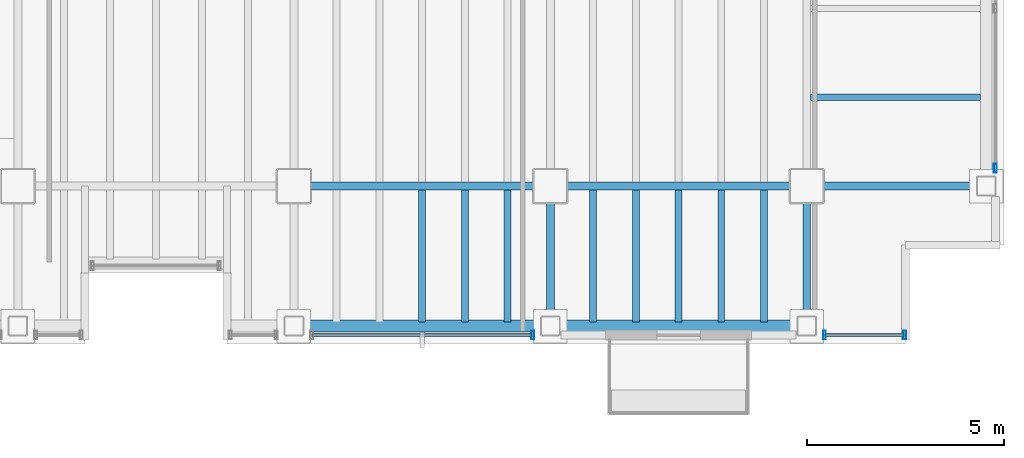
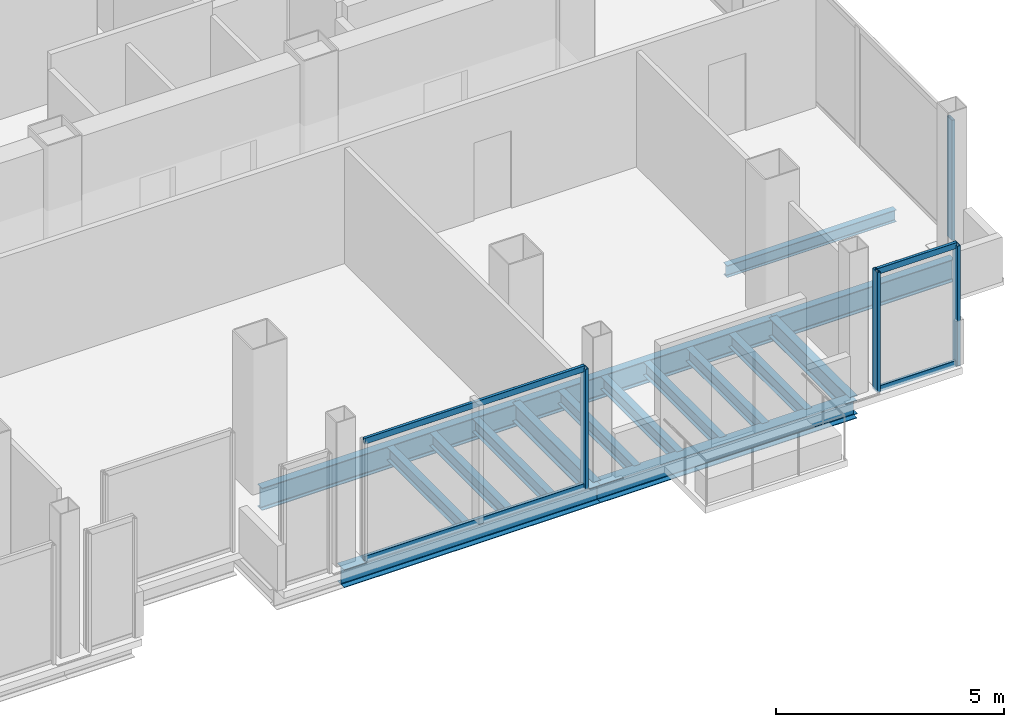
# One storey, part 11 of 19: 16 beams, 8 members, 3 elements without a shape of their own.
"""IFC4 building model written with IfcOpenShell, lengths in metres."""

from ifc_helpers import new_model, si_unit, direction, frame, origin, origin_2d, place, context, subcontext, project, spatial, hollow_rectangle, i_section, extrude, material, material_profile, profile_set, type_object, element, aggregate, save


model = new_model("IFC4")

# Units and contexts
model_context = context("Model", 3, precision=1e-05, world=origin(), true_north=direction((0.0, 1.0)))
body_context = subcontext(model_context, "Body", "Model", "MODEL_VIEW")
ifc_project = project(units=[si_unit("LENGTHUNIT", "METRE"), si_unit("AREAUNIT", "SQUARE_METRE"), si_unit("VOLUMEUNIT", "CUBIC_METRE"), si_unit("PLANEANGLEUNIT", "RADIAN"), si_unit("MASSUNIT", "GRAM", prefix="KILO")], contexts=[model_context])

# Site, building, storey
site_placement = place(None, origin())
site = spatial("IfcSite", under=ifc_project, at=site_placement, CompositionType="ELEMENT")
building_placement = place(site_placement, origin())
building = spatial("IfcBuilding", under=site, at=building_placement, Name="Noeulbin Bourse Tower", CompositionType="ELEMENT")
storey_placement = place(building_placement, frame((0.0, 0.0, 150.0)))
storey = spatial("IfcBuildingStorey", under=building, at=storey_placement, Name="L37", CompositionType="ELEMENT", Elevation=150.0)

# Beams
ifc_material_1 = material(Name="Steel S355", Category="steel")
ifc_material_profile_1 = material_profile(ifc_material_1, i_section(OverallWidth=0.199951171875, OverallDepth=0.5, WebThickness=0.010009765625, FlangeThickness=0.01611328125, FilletRadius=0.02001953125, at=origin_2d()), Name="H-500x200x10x16", Category="LoadBearing")
ifc_profile_set_1 = profile_set([ifc_material_profile_1], Name="Steel S355")
beam_type_1 = type_object("IfcBeamType", Name="BM-GRD-500", PredefinedType="USERDEFINED", material=ifc_profile_set_1)
for number, where, z_axis, x_axis, name in (
    (1, (37.5, 16.449951171875, -0.429931640625), (0.0, 1.0, 0.0), (-1.0, 0.0, 0.0), "Tower Primary Girder NS L37-4.1"),
    (2, (44.0, 16.449951171875, -0.429931640625), (0.0, 1.0, 0.0), (-1.0, 0.0, 0.0), "Tower Primary Girder NS L37-5.1"),
):
    element("IfcBeam", number, at=place(storey_placement, frame(where, z_axis=z_axis, x_axis=x_axis)), inside=storey, type_object=beam_type_1, Name=name, ObjectType="GIRDER", PredefinedType="USERDEFINED", context=body_context, shape_type="SweptSolid", body=[
        extrude(i_section(OverallWidth=0.199951171875, OverallDepth=0.5, WebThickness=0.010009765625, FlangeThickness=0.01611328125, FilletRadius=0.02001953125, at=origin_2d()), origin(), (0.0, 0.0, 1.0), 3.550048828125),
    ])
ifc_material_profile_2 = material_profile(ifc_material_1, i_section(OverallWidth=0.199951171875, OverallDepth=0.60009765625, WebThickness=0.010986328125, FlangeThickness=0.01708984375, FilletRadius=0.02197265625, at=origin_2d()), Name="H-600x200x11x17", Category="LoadBearing")
ifc_profile_set_2 = profile_set([ifc_material_profile_2], Name="Steel S355")
beam_type_2 = type_object("IfcBeamType", Name="BM-GRD-600", PredefinedType="USERDEFINED", material=ifc_profile_set_2)
for number, where, z_axis, x_axis, name in (
    (3, (31.0, 20.0, -0.47998046875), (1.0, 0.0, 0.0), (0.0, 1.0, 0.0), "Tower Primary Girder EW L37-1.4"),
    (4, (37.5, 20.0, -0.47998046875), (1.0, 0.0, 0.0), (0.0, 1.0, 0.0), "Tower Primary Girder EW L37-1.5"),
):
    element("IfcBeam", number, at=place(storey_placement, frame(where, z_axis=z_axis, x_axis=x_axis)), inside=storey, type_object=beam_type_2, Name=name, ObjectType="GIRDER", PredefinedType="USERDEFINED", context=body_context, shape_type="SweptSolid", body=[
        extrude(i_section(OverallWidth=0.199951171875, OverallDepth=0.60009765625, WebThickness=0.010986328125, FlangeThickness=0.01708984375, FilletRadius=0.02197265625, at=origin_2d()), origin(), (0.0, 0.0, 1.0), 6.5),
    ])
beam_1_placement = place(storey_placement, frame((44.0, 20.0, -0.47998046875), z_axis=(1.0, 0.0, 0.0), x_axis=(0.0, 1.0, 0.0)))
element("IfcBeam", 5, at=beam_1_placement, inside=storey, type_object=beam_type_2, Name="Tower Primary Girder EW L37-1.6", ObjectType="GIRDER", PredefinedType="USERDEFINED", context=body_context, shape_type="SweptSolid", body=[
    extrude(i_section(OverallWidth=0.199951171875, OverallDepth=0.60009765625, WebThickness=0.010986328125, FlangeThickness=0.01708984375, FilletRadius=0.02197265625, at=origin_2d()), origin(), (0.0, 0.0, 1.0), 4.550048828125),
])
ifc_material_profile_3 = material_profile(ifc_material_1, i_section(OverallWidth=0.159912109375, OverallDepth=0.320068359375, WebThickness=0.006591796875, FlangeThickness=0.010009765625, FilletRadius=0.012939453125, at=origin_2d()), Name="H-320x160x6.5x10", Category="LoadBearing")
ifc_profile_set_3 = profile_set([ifc_material_profile_3], Name="Steel S355")
beam_type_3 = type_object("IfcBeamType", Name="BM-JST-320", PredefinedType="JOIST", material=ifc_profile_set_3)
beam_2_placement = place(storey_placement, frame((44.10009765625, 22.25, -0.340087890625), z_axis=(1.0, 0.0, 0.0), x_axis=(0.0, 1.0, 0.0)))
element("IfcBeam", 6, at=beam_2_placement, inside=storey, type_object=beam_type_3, Name="Wing Composite Joist L37-E73", PredefinedType="JOIST", context=body_context, shape_type="SweptSolid", body=[
    extrude(i_section(OverallWidth=0.159912109375, OverallDepth=0.320068359375, WebThickness=0.006591796875, FlangeThickness=0.010009765625, FilletRadius=0.012939453125, at=origin_2d()), origin(), (0.0, 0.0, 1.0), 4.2998046875),
])
ifc_material_profile_4 = material_profile(ifc_material_1, i_section(OverallWidth=0.175048828125, OverallDepth=0.35009765625, WebThickness=0.007080078125, FlangeThickness=0.010986328125, FilletRadius=0.013916015625, at=origin_2d()), Name="H-350x175x7x11", Category="LoadBearing")
ifc_profile_set_4 = profile_set([ifc_material_profile_4], Name="Steel S355")
beam_type_4 = type_object("IfcBeamType", Name="BM-JST-350", PredefinedType="JOIST", material=ifc_profile_set_4)
for number, where, z_axis, x_axis, name in (
    (7, (34.25, 16.550048828125, -0.35498046875), (0.0, 1.0, 0.0), (-1.0, 0.0, 0.0), "Tower Composite Joist L37-46"),
    (8, (35.333251953125, 16.550048828125, -0.35498046875), (0.0, 1.0, 0.0), (-1.0, 0.0, 0.0), "Tower Composite Joist L37-49"),
    (9, (36.416748046875, 16.550048828125, -0.35498046875), (0.0, 1.0, 0.0), (-1.0, 0.0, 0.0), "Tower Composite Joist L37-52"),
    (10, (38.583251953125, 16.550048828125, -0.35498046875), (0.0, 1.0, 0.0), (-1.0, 0.0, 0.0), "Tower Composite Joist L37-55"),
    (11, (39.666748046875, 16.550048828125, -0.35498046875), (0.0, 1.0, 0.0), (-1.0, 0.0, 0.0), "Tower Composite Joist L37-58"),
    (12, (40.75, 16.550048828125, -0.35498046875), (0.0, 1.0, 0.0), (-1.0, 0.0, 0.0), "Tower Composite Joist L37-61"),
    (13, (41.833251953125, 16.550048828125, -0.35498046875), (0.0, 1.0, 0.0), (-1.0, 0.0, 0.0), "Tower Composite Joist L37-64"),
    (14, (42.916748046875, 16.550048828125, -0.35498046875), (0.0, 1.0, 0.0), (-1.0, 0.0, 0.0), "Tower Composite Joist L37-67"),
):
    element("IfcBeam", number, at=place(storey_placement, frame(where, z_axis=z_axis, x_axis=x_axis)), inside=storey, type_object=beam_type_4, Name=name, PredefinedType="JOIST", context=body_context, shape_type="SweptSolid", body=[
        extrude(i_section(OverallWidth=0.175048828125, OverallDepth=0.35009765625, WebThickness=0.007080078125, FlangeThickness=0.010986328125, FilletRadius=0.013916015625, at=origin_2d()), origin(), (0.0, 0.0, 1.0), 3.349853515625),
    ])
ifc_material_profile_5 = material_profile(ifc_material_1, i_section(OverallWidth=0.300048828125, OverallDepth=0.488037109375, WebThickness=0.010986328125, FlangeThickness=0.01806640625, FilletRadius=0.02197265625, at=origin_2d()), Name="H-488x300x11x18", Category="LoadBearing")
ifc_profile_set_5 = profile_set([ifc_material_profile_5], Name="Steel S355")
beam_type_5 = type_object("IfcBeamType", Name="BM-SPN-488", PredefinedType="SPANDREL", material=ifc_profile_set_5)
for number, where, z_axis, x_axis, name in (
    (15, (31.0, 16.449951171875, -0.424072265625), (1.0, 0.0, 0.0), (0.0, 1.0, 0.0), "South Spandrel L37-3"),
    (16, (37.5, 16.449951171875, -0.424072265625), (1.0, 0.0, 0.0), (0.0, 1.0, 0.0), "South Spandrel L37-4"),
):
    element("IfcBeam", number, at=place(storey_placement, frame(where, z_axis=z_axis, x_axis=x_axis)), inside=storey, type_object=beam_type_5, Name=name, PredefinedType="SPANDREL", context=body_context, shape_type="SweptSolid", body=[
        extrude(i_section(OverallWidth=0.300048828125, OverallDepth=0.488037109375, WebThickness=0.010986328125, FlangeThickness=0.01806640625, FilletRadius=0.02197265625, at=origin_2d()), origin(), (0.0, 0.0, 1.0), 6.5),
    ])

# Curtain wall, member
ifc_material_2 = material(Name="Dark Tinted Triple Glazing", Category="glass")
curtain_wall_type = type_object("IfcCurtainWallType", Name="CW-SYS-3", PredefinedType="NOTDEFINED", material=ifc_material_2)
curtain_wall_1_placement = place(storey_placement, origin())
curtain_wall_1 = element("IfcCurtainWall", 17, at=curtain_wall_1_placement, inside=storey, type_object=curtain_wall_type, Name="Unitised Curtain Wall CW-L37-S2-S2", PredefinedType="NOTDEFINED")
ifc_material_3 = material(Name="Anodised Aluminium 6063-T6", Category="aluminium")
ifc_material_profile_6 = material_profile(ifc_material_3, hollow_rectangle(XDim=0.074951171875, YDim=0.219970703125, WallThickness=0.0048828125, InnerFilletRadius=0.00244140625, OuterFilletRadius=0.0048828125, at=origin_2d()), Name="ALU-MULL-75x220x5", Category="LoadBearing")
ifc_profile_set_6 = profile_set([ifc_material_profile_6], Name="Anodised Aluminium 6063-T6")
member_type_1 = type_object("IfcMemberType", Name="CW-SYS-3-MUL", PredefinedType="MULLION", material=ifc_profile_set_6)
member_1_placement = place(storey_placement, frame((37.050048828125, 16.219970703125, -0.02001953125), z_axis=(0.0, 0.0, 1.0), x_axis=(1.0, 0.0, 0.0)))
member_1 = element("IfcMember", 18, at=member_1_placement, type_object=member_type_1, Name="Curtain Wall Mullion CW-L37-S2-S2-M01", PredefinedType="MULLION", context=body_context, shape_type="SweptSolid", body=[
    extrude(hollow_rectangle(XDim=0.074951171875, YDim=0.219970703125, WallThickness=0.0048828125, InnerFilletRadius=0.00244140625, OuterFilletRadius=0.0048828125, at=origin_2d()), origin(), (0.0, 0.0, 1.0), 3.219970703125),
])

# Curtain wall, members
curtain_wall_2_placement = place(storey_placement, origin())
curtain_wall_2 = element("IfcCurtainWall", 19, at=curtain_wall_2_placement, inside=storey, type_object=curtain_wall_type, Name="Unitised Curtain Wall CW-L37-S3", PredefinedType="NOTDEFINED")
member_2_placement = place(storey_placement, frame((44.449951171875, 16.219970703125, -0.02001953125), z_axis=(0.0, 0.0, 1.0), x_axis=(1.0, 0.0, 0.0)))
member_2 = element("IfcMember", 20, at=member_2_placement, type_object=member_type_1, Name="Curtain Wall Mullion CW-L37-S3-M00", PredefinedType="MULLION", context=body_context, shape_type="SweptSolid", body=[
    extrude(hollow_rectangle(XDim=0.074951171875, YDim=0.219970703125, WallThickness=0.0048828125, InnerFilletRadius=0.00244140625, OuterFilletRadius=0.0048828125, at=origin_2d()), origin(), (0.0, 0.0, 1.0), 3.219970703125),
])
member_3_placement = place(storey_placement, frame((46.47998046875, 16.219970703125, -0.02001953125), z_axis=(0.0, 0.0, 1.0), x_axis=(1.0, 0.0, 0.0)))
member_3 = element("IfcMember", 21, at=member_3_placement, type_object=member_type_1, Name="Curtain Wall Mullion CW-L37-S3-M01", PredefinedType="MULLION", context=body_context, shape_type="SweptSolid", body=[
    extrude(hollow_rectangle(XDim=0.074951171875, YDim=0.219970703125, WallThickness=0.0048828125, InnerFilletRadius=0.00244140625, OuterFilletRadius=0.0048828125, at=origin_2d()), origin(), (0.0, 0.0, 1.0), 3.219970703125),
])

# Curtain wall, member
curtain_wall_3_placement = place(storey_placement, origin())
curtain_wall_3 = element("IfcCurtainWall", 22, at=curtain_wall_3_placement, inside=storey, type_object=curtain_wall_type, Name="Unitised Curtain Wall CW-L37-E-S1", PredefinedType="NOTDEFINED")
member_4_placement = place(storey_placement, frame((48.780029296875, 20.449951171875, -0.02001953125), z_axis=(0.0, 0.0, 1.0), x_axis=(1.0, 0.0, 0.0)))
member_4 = element("IfcMember", 23, at=member_4_placement, type_object=member_type_1, Name="Curtain Wall Mullion CW-L37-E-S1-M00", PredefinedType="MULLION", context=body_context, shape_type="SweptSolid", body=[
    extrude(hollow_rectangle(XDim=0.074951171875, YDim=0.219970703125, WallThickness=0.0048828125, InnerFilletRadius=0.00244140625, OuterFilletRadius=0.0048828125, at=origin_2d()), origin(), (0.0, 0.0, 1.0), 3.219970703125),
])
aggregate(curtain_wall_3, [member_4])

# Member
ifc_material_profile_7 = material_profile(ifc_material_3, hollow_rectangle(XDim=0.074951171875, YDim=0.159912109375, WallThickness=0.0048828125, InnerFilletRadius=0.00244140625, OuterFilletRadius=0.0048828125, at=origin_2d()), Name="ALU-TRAN-75x160x5", Category="LoadBearing")
ifc_profile_set_7 = profile_set([ifc_material_profile_7], Name="Anodised Aluminium 6063-T6")
member_type_2 = type_object("IfcMemberType", Name="CW-SYS-3-TRN", PredefinedType="USERDEFINED", material=ifc_profile_set_7)
member_5_placement = place(storey_placement, frame((31.4599609375, 16.219970703125, 0.010009765625), z_axis=(1.0, 0.0, 0.0), x_axis=(0.0, 1.0, 0.0)))
member_5 = element("IfcMember", 24, at=member_5_placement, type_object=member_type_2, Name="Curtain Wall Transom CW-L37-S2-S2-T00", ObjectType="TRANSOM", PredefinedType="USERDEFINED", context=body_context, shape_type="SweptSolid", body=[
    extrude(hollow_rectangle(XDim=0.074951171875, YDim=0.159912109375, WallThickness=0.0048828125, InnerFilletRadius=0.00244140625, OuterFilletRadius=0.0048828125, at=origin_2d()), origin(), (0.0, 0.0, 1.0), 5.580078125),
])

member_6_placement = place(storey_placement, frame((31.4599609375, 16.219970703125, 3.169921875), z_axis=(1.0, 0.0, 0.0), x_axis=(0.0, 1.0, 0.0)))
member_6 = element("IfcMember", 25, at=member_6_placement, type_object=member_type_2, Name="Curtain Wall Transom CW-L37-S2-S2-T01", ObjectType="TRANSOM", PredefinedType="USERDEFINED", context=body_context, shape_type="SweptSolid", body=[
    extrude(hollow_rectangle(XDim=0.074951171875, YDim=0.159912109375, WallThickness=0.0048828125, InnerFilletRadius=0.00244140625, OuterFilletRadius=0.0048828125, at=origin_2d()), origin(), (0.0, 0.0, 1.0), 5.580078125),
])

aggregate(curtain_wall_1, [member_1, member_5, member_6])

member_7_placement = place(storey_placement, frame((44.4599609375, 16.219970703125, 0.010009765625), z_axis=(1.0, 0.0, 0.0), x_axis=(0.0, 1.0, 0.0)))
member_7 = element("IfcMember", 26, at=member_7_placement, type_object=member_type_2, Name="Curtain Wall Transom CW-L37-S3-T00", ObjectType="TRANSOM", PredefinedType="USERDEFINED", context=body_context, shape_type="SweptSolid", body=[
    extrude(hollow_rectangle(XDim=0.074951171875, YDim=0.159912109375, WallThickness=0.0048828125, InnerFilletRadius=0.00244140625, OuterFilletRadius=0.0048828125, at=origin_2d()), origin(), (0.0, 0.0, 1.0), 2.010009765625),
])

member_8_placement = place(storey_placement, frame((44.4599609375, 16.219970703125, 3.169921875), z_axis=(1.0, 0.0, 0.0), x_axis=(0.0, 1.0, 0.0)))
member_8 = element("IfcMember", 27, at=member_8_placement, type_object=member_type_2, Name="Curtain Wall Transom CW-L37-S3-T01", ObjectType="TRANSOM", PredefinedType="USERDEFINED", context=body_context, shape_type="SweptSolid", body=[
    extrude(hollow_rectangle(XDim=0.074951171875, YDim=0.159912109375, WallThickness=0.0048828125, InnerFilletRadius=0.00244140625, OuterFilletRadius=0.0048828125, at=origin_2d()), origin(), (0.0, 0.0, 1.0), 2.010009765625),
])

aggregate(curtain_wall_2, [member_2, member_3, member_7, member_8])

save(model, "model.ifc")
